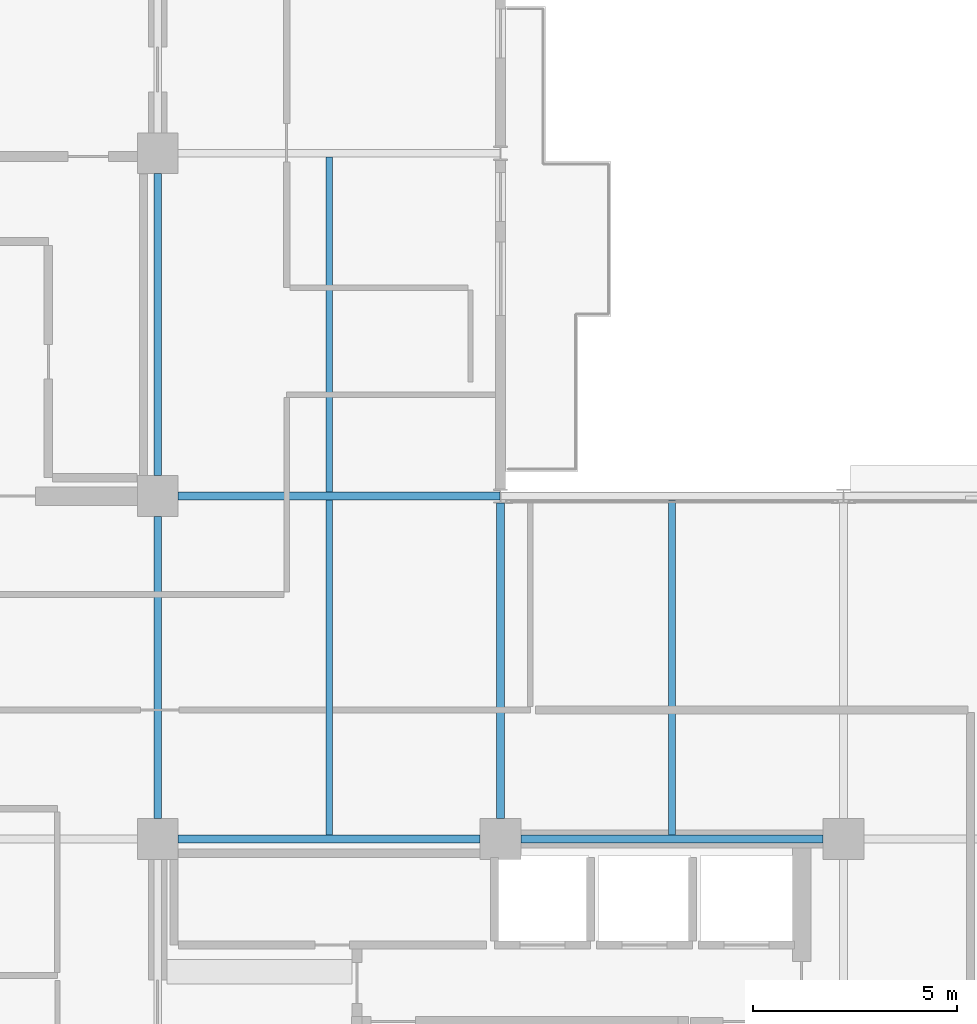
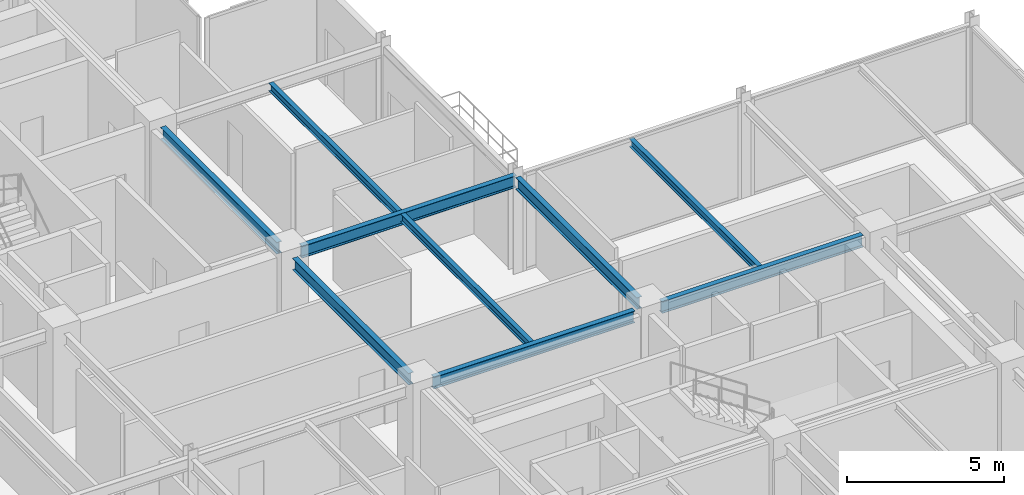
# One storey, part 11 of 26: 9 beams.
"""IFC4 building model written with IfcOpenShell, lengths in metres."""

from ifc_helpers import new_model, si_unit, direction, frame, origin, origin_2d, place, context, subcontext, project, spatial, i_section, extrude, material, material_profile, profile_set, type_object, element, save


model = new_model("IFC4")

# Units and contexts
model_context = context("Model", 3, precision=1e-05, world=origin(), true_north=direction((0.0, 1.0)))
body_context = subcontext(model_context, "Body", "Model", "MODEL_VIEW")
ifc_project = project(units=[si_unit("LENGTHUNIT", "METRE"), si_unit("AREAUNIT", "SQUARE_METRE"), si_unit("VOLUMEUNIT", "CUBIC_METRE"), si_unit("PLANEANGLEUNIT", "RADIAN"), si_unit("MASSUNIT", "GRAM", prefix="KILO")], contexts=[model_context])

# Site, building, storey
site_placement = place(None, origin())
site = spatial("IfcSite", under=ifc_project, at=site_placement, CompositionType="ELEMENT")
building_placement = place(site_placement, origin())
building = spatial("IfcBuilding", under=site, at=building_placement, Name="Nerrivon Quay Data Exchange", CompositionType="ELEMENT")
storey_placement = place(building_placement, frame((0.0, 0.0, 241.10009765625)))
storey = spatial("IfcBuildingStorey", under=building, at=storey_placement, Name="L57", CompositionType="ELEMENT", Elevation=241.10009765625)

# Beams
ifc_material = material(Name="Steel Grade 350", Category="steel")
ifc_material_profile_1 = material_profile(ifc_material, i_section(OverallWidth=0.19091796875, OverallDepth=0.4599609375, WebThickness=0.010009765625, FlangeThickness=0.01611328125, FilletRadius=0.011474609375, at=origin_2d()), Name="460UB82.1")
ifc_profile_set_1 = profile_set([ifc_material_profile_1], Name="Steel Grade 350")
beam_type_1 = type_object("IfcBeamType", Name="BM-G5-460UB82", PredefinedType="BEAM", material=ifc_profile_set_1)
beam_1_placement = place(storey_placement, frame((17.300048828125, 16.800048828125, 3.52001953125), z_axis=(1.0, 0.0, 0.0), x_axis=(0.0, 1.0, 0.0)))
element("IfcBeam", 1, at=beam_1_placement, inside=storey, type_object=beam_type_1, Name="L57 EW Girder Y=16.8 (16.8..25.2)", PredefinedType="BEAM", context=body_context, shape_type="SweptSolid", body=[
    extrude(i_section(OverallWidth=0.19091796875, OverallDepth=0.4599609375, WebThickness=0.010009765625, FlangeThickness=0.01611328125, FilletRadius=0.011474609375, at=origin_2d()), origin(), (0.0, 0.0, 1.0), 7.39990234375),
])
beam_2_placement = place(storey_placement, frame((25.699951171875, 16.800048828125, 3.52001953125), z_axis=(1.0, 0.0, 0.0), x_axis=(0.0, 1.0, 0.0)))
element("IfcBeam", 2, at=beam_2_placement, inside=storey, type_object=beam_type_1, Name="L57 EW Girder Y=16.8 (25.2..33.6)", PredefinedType="BEAM", context=body_context, shape_type="SweptSolid", body=[
    extrude(i_section(OverallWidth=0.19091796875, OverallDepth=0.4599609375, WebThickness=0.010009765625, FlangeThickness=0.01611328125, FilletRadius=0.011474609375, at=origin_2d()), origin(), (0.0, 0.0, 1.0), 7.400146484375),
])
beam_3_placement = place(storey_placement, frame((17.300048828125, 25.199951171875, 3.52001953125), z_axis=(1.0, 0.0, 0.0), x_axis=(0.0, 1.0, 0.0)))
element("IfcBeam", 3, at=beam_3_placement, inside=storey, type_object=beam_type_1, Name="L57 EW Girder Y=25.2 (16.8..25.2)", PredefinedType="BEAM", context=body_context, shape_type="SweptSolid", body=[
    extrude(i_section(OverallWidth=0.19091796875, OverallDepth=0.4599609375, WebThickness=0.010009765625, FlangeThickness=0.01611328125, FilletRadius=0.011474609375, at=origin_2d()), origin(), (0.0, 0.0, 1.0), 7.889892578125),
])
ifc_material_profile_2 = material_profile(ifc_material, i_section(OverallWidth=0.18994140625, OverallDepth=0.4541015625, WebThickness=0.008544921875, FlangeThickness=0.0126953125, FilletRadius=0.011474609375, at=origin_2d()), Name="460UB67.1")
ifc_profile_set_2 = profile_set([ifc_material_profile_2], Name="Steel Grade 350")
beam_type_2 = type_object("IfcBeamType", Name="BM-G6-460UB67", PredefinedType="BEAM", material=ifc_profile_set_2)
beam_4_placement = place(storey_placement, frame((16.800048828125, 17.300048828125, 3.52294921875), z_axis=(0.0, 1.0, 0.0), x_axis=(-1.0, 0.0, 0.0)))
element("IfcBeam", 4, at=beam_4_placement, inside=storey, type_object=beam_type_2, Name="L57 NS Girder X=16.8 (16.8..25.2)", PredefinedType="BEAM", context=body_context, shape_type="SweptSolid", body=[
    extrude(i_section(OverallWidth=0.18994140625, OverallDepth=0.4541015625, WebThickness=0.008544921875, FlangeThickness=0.0126953125, FilletRadius=0.011474609375, at=origin_2d()), origin(), (0.0, 0.0, 1.0), 7.39990234375),
])
beam_5_placement = place(storey_placement, frame((16.800048828125, 25.699951171875, 3.52294921875), z_axis=(0.0, 1.0, 0.0), x_axis=(-1.0, 0.0, 0.0)))
element("IfcBeam", 5, at=beam_5_placement, inside=storey, type_object=beam_type_2, Name="L57 NS Girder X=16.8 (25.2..33.6)", PredefinedType="BEAM", context=body_context, shape_type="SweptSolid", body=[
    extrude(i_section(OverallWidth=0.18994140625, OverallDepth=0.4541015625, WebThickness=0.008544921875, FlangeThickness=0.0126953125, FilletRadius=0.011474609375, at=origin_2d()), origin(), (0.0, 0.0, 1.0), 7.400146484375),
])
beam_6_placement = place(storey_placement, frame((25.199951171875, 17.300048828125, 3.52294921875), z_axis=(0.0, 1.0, 0.0), x_axis=(-1.0, 0.0, 0.0)))
element("IfcBeam", 6, at=beam_6_placement, inside=storey, type_object=beam_type_2, Name="L57 NS Girder X=25.2 (16.8..25.2)", PredefinedType="BEAM", context=body_context, shape_type="SweptSolid", body=[
    extrude(i_section(OverallWidth=0.18994140625, OverallDepth=0.4541015625, WebThickness=0.008544921875, FlangeThickness=0.0126953125, FilletRadius=0.011474609375, at=origin_2d()), origin(), (0.0, 0.0, 1.0), 7.724853515625),
])
ifc_material_profile_3 = material_profile(ifc_material, i_section(OverallWidth=0.166015625, OverallDepth=0.306884765625, WebThickness=0.006591796875, FlangeThickness=0.01171875, FilletRadius=0.011474609375, at=origin_2d()), Name="310UB46.2")
ifc_profile_set_3 = profile_set([ifc_material_profile_3], Name="Steel Grade 350")
beam_type_3 = type_object("IfcBeamType", Name="BM-J5-310UB46", PredefinedType="JOIST", material=ifc_profile_set_3)
for number, where, z_axis, x_axis, name in (
    (7, (21.0, 16.8955078125, 3.596435546875), (0.0, 1.0, 0.0), (-1.0, 0.0, 0.0), "L57 Secondary Joist X=21.0 (16.8..25.2)"),
    (8, (21.0, 25.29541015625, 3.596435546875), (0.0, 1.0, 0.0), (-1.0, 0.0, 0.0), "L57 Secondary Joist X=21.0 (25.2..33.6)"),
):
    element("IfcBeam", number, at=place(storey_placement, frame(where, z_axis=z_axis, x_axis=x_axis)), inside=storey, type_object=beam_type_3, Name=name, PredefinedType="JOIST", context=body_context, shape_type="SweptSolid", body=[
        extrude(i_section(OverallWidth=0.166015625, OverallDepth=0.306884765625, WebThickness=0.006591796875, FlangeThickness=0.01171875, FilletRadius=0.011474609375, at=origin_2d()), origin(), (0.0, 0.0, 1.0), 8.208984375),
    ])
beam_7_placement = place(storey_placement, frame((29.39990234375, 16.8955078125, 3.596435546875), z_axis=(0.0, 1.0, 0.0), x_axis=(-1.0, 0.0, 0.0)))
element("IfcBeam", 9, at=beam_7_placement, inside=storey, type_object=beam_type_3, Name="L57 Secondary Joist X=29.4 (16.8..25.2)", PredefinedType="JOIST", context=body_context, shape_type="SweptSolid", body=[
    extrude(i_section(OverallWidth=0.166015625, OverallDepth=0.306884765625, WebThickness=0.006591796875, FlangeThickness=0.01171875, FilletRadius=0.011474609375, at=origin_2d()), origin(), (0.0, 0.0, 1.0), 8.20458984375),
])

save(model, "model.ifc")
